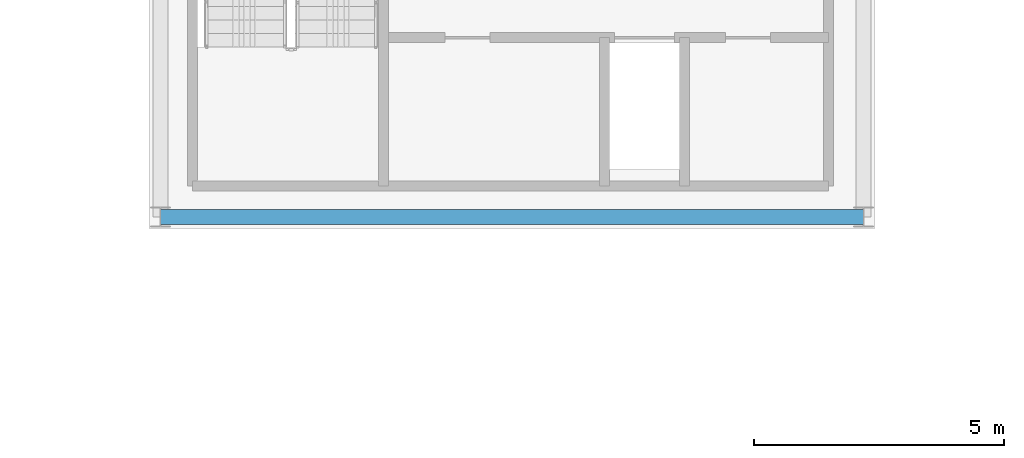
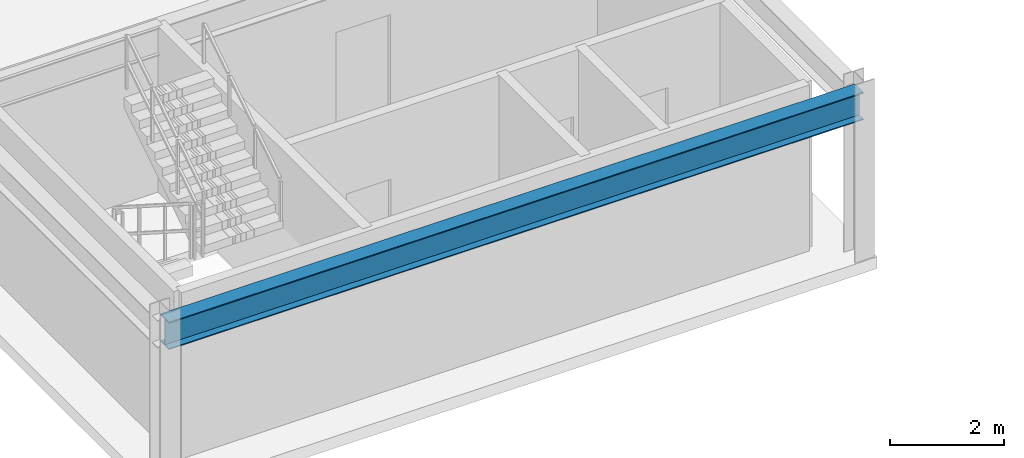
# One storey, part 5 of 27: 1 beam.
"""IFC4 building model written with IfcOpenShell, lengths in metres."""

from ifc_helpers import new_model, si_unit, direction, frame, origin, origin_2d, place, context, subcontext, project, spatial, i_section, extrude, source, transform, mapped, material, material_profile, profile_set, type_object, element, save


model = new_model("IFC4")

# Units and contexts
model_context = context("Model", 3, precision=1e-05, world=origin(), true_north=direction((0.0, 1.0)))
body_context = subcontext(model_context, "Body", "Model", "MODEL_VIEW")
ifc_project = project(units=[si_unit("LENGTHUNIT", "METRE"), si_unit("AREAUNIT", "SQUARE_METRE"), si_unit("VOLUMEUNIT", "CUBIC_METRE"), si_unit("PLANEANGLEUNIT", "RADIAN"), si_unit("MASSUNIT", "GRAM", prefix="KILO")], contexts=[model_context])

# Site, building, storey
site_placement = place(None, origin())
site = spatial("IfcSite", under=ifc_project, at=site_placement, CompositionType="ELEMENT")
building_placement = place(site_placement, origin())
building = spatial("IfcBuilding", under=site, at=building_placement, Name="Saelheon Loggia Tower", CompositionType="ELEMENT")
storey_placement = place(building_placement, frame((0.0, 0.0, 263.60009765625)))
storey = spatial("IfcBuildingStorey", under=building, at=storey_placement, Name="CR4", CompositionType="ELEMENT", Elevation=263.60009765625)

# Beam
ifc_material = material(Name="Steel SM355", Category="steel")
ifc_material_profile = material_profile(ifc_material, i_section(OverallWidth=0.300048828125, OverallDepth=0.587890625, WebThickness=0.011962890625, FlangeThickness=0.02001953125, at=origin_2d()), Name="H-588x300x12x20")
ifc_profile_set = profile_set([ifc_material_profile], Name="Steel SM355")
beam_type = type_object("IfcBeamType", Name="Beam_Girder_Steel_H588", PredefinedType="BEAM", material=ifc_profile_set)
shared_shape = source(origin(), body_context, "Body", "SweptSolid", [
    extrude(i_section(OverallWidth=0.300048828125, OverallDepth=0.587890625, WebThickness=0.011962890625, FlangeThickness=0.02001953125, at=origin_2d()), origin(), (0.0, 0.0, 1.0), 14.0400390625),
])
beam_placement = place(storey_placement, frame((30.97998046875, 17.47998046875, 3.255859375), z_axis=(1.0, 0.0, 0.0), x_axis=(0.0, 1.0, 0.0)))
element("IfcBeam", 1, at=beam_placement, inside=storey, type_object=beam_type, Name="BM-CR4-PL-S", PredefinedType="BEAM", context=body_context, shape_type="MappedRepresentation", body=[
    mapped(shared_shape, transform((0.0, 0.0, 0.0), scale=1.0)),
])

save(model, "model.ifc")
